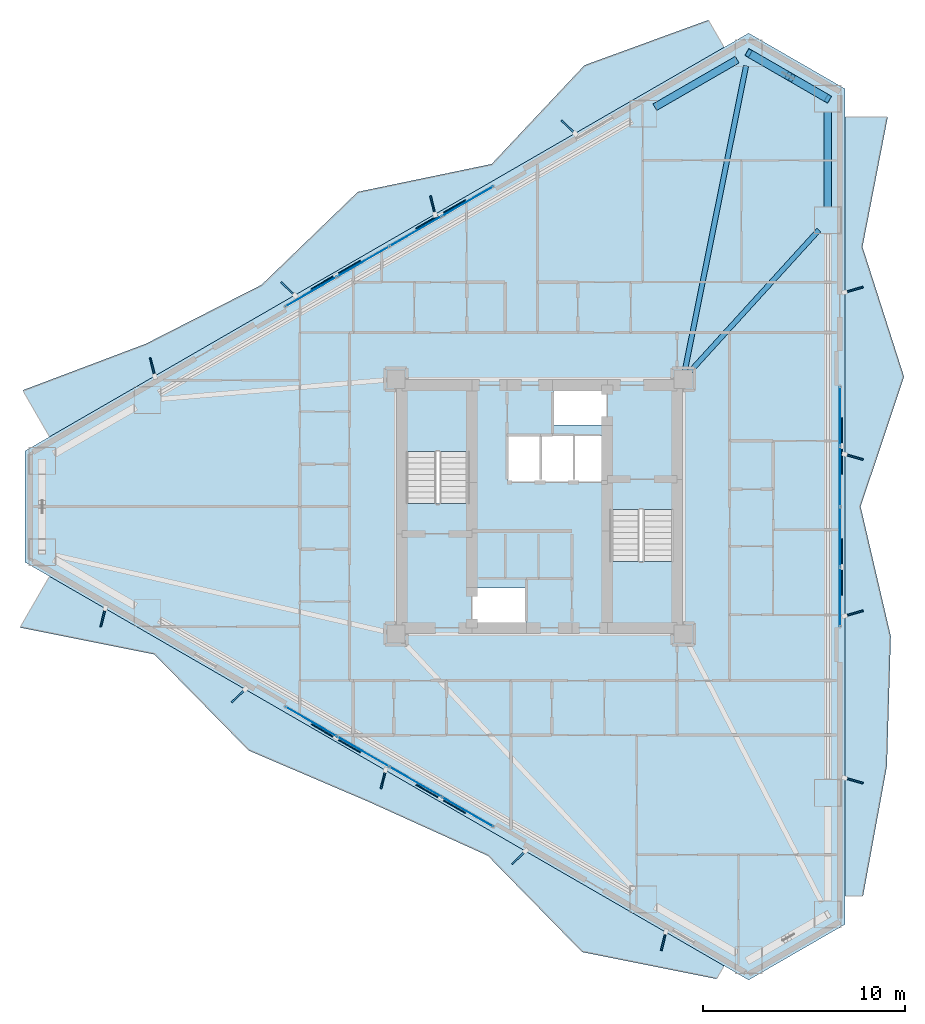
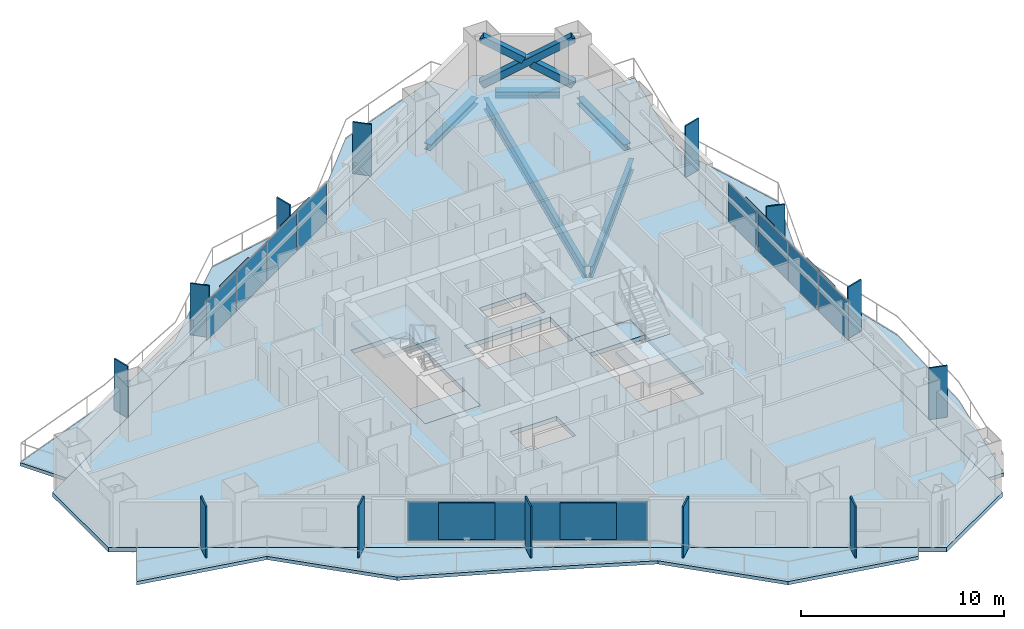
# One storey, part 10 of 18: 31 plates, 8 slabs, 5 beams, 3 members, 5 elements without a shape of their own.
"""IFC4 building model written with IfcOpenShell, lengths in metres."""

from ifc_helpers import new_model, si_unit, direction, frame, origin, origin_2d, place, context, subcontext, project, spatial, polyline, rectangle, hollow_rectangle, i_section, outline, extrude, material, layer, layer_set, material_profile, profile_set, type_object, element, aggregate, save


model = new_model("IFC4")

# Units and contexts
model_context = context("Model", 3, precision=1e-05, world=origin(), true_north=direction((0.0, 1.0)))
body_context = subcontext(model_context, "Body", "Model", "MODEL_VIEW")
ifc_project = project(units=[si_unit("LENGTHUNIT", "METRE"), si_unit("AREAUNIT", "SQUARE_METRE"), si_unit("VOLUMEUNIT", "CUBIC_METRE"), si_unit("PLANEANGLEUNIT", "RADIAN"), si_unit("MASSUNIT", "GRAM", prefix="KILO")], contexts=[model_context])

# Site, building, storey
site_placement = place(None, origin())
site = spatial("IfcSite", under=ifc_project, at=site_placement, CompositionType="ELEMENT")
building_placement = place(site_placement, origin())
building = spatial("IfcBuilding", under=site, at=building_placement, Name="Mersakhor Tower and Convention Hall", CompositionType="ELEMENT")
storey_placement = place(building_placement, frame((0.0, 0.0, 35.699951171875)))
storey = spatial("IfcBuildingStorey", under=building, at=storey_placement, Name="L09", CompositionType="ELEMENT", Elevation=35.699951171875)

# Beams
ifc_material_1 = material(Name="Steel S355", Category="steel")
ifc_material_profile_1 = material_profile(ifc_material_1, i_section(OverallWidth=0.25439453125, OverallDepth=0.6875, WebThickness=0.01318359375, FlangeThickness=0.02099609375, at=origin_2d()), Name="UB 686x254x152")
ifc_profile_set_1 = profile_set([ifc_material_profile_1], Name="Steel S355")
beam_type_1 = type_object("IfcBeamType", Name="BM-PR-686", PredefinedType="BEAM", material=ifc_profile_set_1)
beam_1_placement = place(storey_placement, frame((36.1845703125, 33.4716796875, -0.603759765625), z_axis=(0.196849718138, 0.980433673672, 0.0), x_axis=(-0.980433673672, 0.196849718138, 0.0)))
element("IfcBeam", 1, at=beam_1_placement, inside=storey, type_object=beam_type_1, Name="L09 Primary Floor Girder FG-2", PredefinedType="BEAM", context=body_context, shape_type="SweptSolid", body=[
    extrude(i_section(OverallWidth=0.25439453125, OverallDepth=0.6875, WebThickness=0.01318359375, FlangeThickness=0.02099609375, at=origin_2d()), origin(), (0.0, 0.0, 1.0), 15.359130859375),
])
beam_2_placement = place(storey_placement, frame((36.389404296875, 33.367919921875, -0.603759765625), z_axis=(0.67316322447, 0.739493930483, 0.0), x_axis=(-0.739493930483, 0.67316322447, 0.0)))
element("IfcBeam", 2, at=beam_2_placement, inside=storey, type_object=beam_type_1, Name="L09 Primary Floor Girder FG-3", PredefinedType="BEAM", context=body_context, shape_type="SweptSolid", body=[
    extrude(i_section(OverallWidth=0.25439453125, OverallDepth=0.6875, WebThickness=0.01318359375, FlangeThickness=0.02099609375, at=origin_2d()), origin(), (0.0, 0.0, 1.0), 9.53662109375),
])
ifc_material_2 = material(Name="Steel S355", Category="steel")
ifc_material_profile_2 = material_profile(ifc_material_2, i_section(OverallWidth=0.374755859375, OverallDepth=0.37451171875, WebThickness=0.0166015625, FlangeThickness=0.027099609375, at=origin_2d()), Name="UC 356x368x202")
ifc_profile_set_2 = profile_set([ifc_material_profile_2], Name="Steel S355")
beam_type_2 = type_object("IfcBeamType", Name="BM-SPD-UC356", PredefinedType="SPANDREL", material=ifc_profile_set_2)
beam_3_placement = place(storey_placement, frame((34.700439453125, 46.49560546875, -0.447265625), z_axis=(0.866031574723, 0.499989311469, 0.0), x_axis=(-0.499989311469, 0.866031574723, 0.0)))
element("IfcBeam", 3, at=beam_3_placement, inside=storey, type_object=beam_type_2, Name="L09 Perimeter Spandrel Beam SPB-03", PredefinedType="SPANDREL", context=body_context, shape_type="SweptSolid", body=[
    extrude(i_section(OverallWidth=0.374755859375, OverallDepth=0.37451171875, WebThickness=0.0166015625, FlangeThickness=0.027099609375, at=origin_2d()), origin(), (0.0, 0.0, 1.0), 4.69873046875),
])
beam_4_placement = place(storey_placement, frame((39.904052734375, 48.844970703125, -0.447265625), z_axis=(0.866038607556, -0.4999771297, 0.0), x_axis=(0.4999771297, 0.866038607556, 0.0)))
element("IfcBeam", 4, at=beam_4_placement, inside=storey, type_object=beam_type_2, Name="L09 Perimeter Spandrel Beam SPB-04", PredefinedType="SPANDREL", context=body_context, shape_type="SweptSolid", body=[
    extrude(i_section(OverallWidth=0.374755859375, OverallDepth=0.37451171875, WebThickness=0.0166015625, FlangeThickness=0.027099609375, at=origin_2d()), origin(), (0.0, 0.0, 1.0), 3.208740234375),
])
beam_5_placement = place(storey_placement, frame((43.25, 46.25830078125, -0.447265625), z_axis=(0.0, -1.0, 0.0), x_axis=(1.0, 0.0, 0.0)))
element("IfcBeam", 5, at=beam_5_placement, inside=storey, type_object=beam_type_2, Name="L09 Perimeter Spandrel Beam SPB-05", PredefinedType="SPANDREL", context=body_context, shape_type="SweptSolid", body=[
    extrude(i_section(OverallWidth=0.374755859375, OverallDepth=0.37451171875, WebThickness=0.0166015625, FlangeThickness=0.027099609375, at=origin_2d()), origin(), (0.0, 0.0, 1.0), 4.69873046875),
])

# Members
ifc_material_3 = material(Name="Steel S460", Category="steel")
ifc_material_profile_3 = material_profile(ifc_material_3, hollow_rectangle(XDim=0.39990234375, YDim=0.39990234375, WallThickness=0.02490234375, at=origin_2d()), Name="SHS 400x400x25")
ifc_profile_set_3 = profile_set([ifc_material_profile_3], Name="Steel S460")
member_type = type_object("IfcMemberType", Name="MB-BRC-SHS400", PredefinedType="BRACE", material=ifc_profile_set_3)
member_1_placement = place(storey_placement, frame((39.3369140625, 49.172607421875, 0.150146484375), z_axis=(0.740507772322, -0.427542982597, 0.518512523632), x_axis=(0.500009315796, 0.86602002524, 0.0)))
element("IfcMember", 6, at=member_1_placement, inside=storey, type_object=member_type, Name="L09 Chamfer Braced Frame Diagonal CB-1A", PredefinedType="BRACE", context=body_context, shape_type="SweptSolid", body=[
    extrude(hollow_rectangle(XDim=0.39990234375, YDim=0.39990234375, WallThickness=0.02490234375, at=origin_2d()), origin(), (0.0, 0.0, 1.0), 5.284423828125),
])
member_2_placement = place(storey_placement, frame((43.25, 46.913330078125, 0.150146484375), z_axis=(-0.740544200614, 0.427541122117, 0.51846202931), x_axis=(-0.499989236795, -0.866031617834, 0.0)))
element("IfcMember", 7, at=member_2_placement, inside=storey, type_object=member_type, Name="L09 Chamfer Braced Frame Diagonal CB-1B Lower Half", PredefinedType="BRACE", context=body_context, shape_type="SweptSolid", body=[
    extrude(hollow_rectangle(XDim=0.39990234375, YDim=0.39990234375, WallThickness=0.02490234375, at=origin_2d()), origin(), (0.0, 0.0, 1.0), 2.40869140625),
])
member_3_placement = place(storey_placement, frame((41.12060546875, 48.142578125, 1.64111328125), z_axis=(-0.740473193976, 0.427601478974, 0.51851366827), x_axis=(-0.500078132948, -0.865980289006, 0.0)))
element("IfcMember", 8, at=member_3_placement, inside=storey, type_object=member_type, Name="L09 Chamfer Braced Frame Diagonal CB-1B Upper Half", PredefinedType="BRACE", context=body_context, shape_type="SweptSolid", body=[
    extrude(hollow_rectangle(XDim=0.39990234375, YDim=0.39990234375, WallThickness=0.02490234375, at=origin_2d()), origin(), (0.0, 0.0, 1.0), 2.408935546875),
])

# Curtain wall, plates
ifc_material_4 = material(Name="Dark solar low-E aluminium curtain wall", Category="aluminium")
ifc_layer_1 = layer(ifc_material_4, 0.159912109375)
ifc_layer_set_1 = layer_set([ifc_layer_1], Name="Dark solar low-E aluminium curtain wall")
curtain_wall_type = type_object("IfcCurtainWallType", Name="CW-SYS-01", PredefinedType="USERDEFINED", material=ifc_layer_set_1)
curtain_wall_1_placement = place(storey_placement, origin())
curtain_wall_1 = element("IfcCurtainWall", 9, at=curtain_wall_1_placement, inside=storey, type_object=curtain_wall_type, Name="L09 Dark-Glass Curtain Wall F1-B2", ObjectType="CURTAIN WALL", PredefinedType="USERDEFINED")
ifc_material_5 = material(Name="Dark solar double glazing", Category="glass")
ifc_layer_2 = layer(ifc_material_5, 0.02392578125)
ifc_layer_set_2 = layer_set([ifc_layer_2], Name="Dark solar double glazing")
plate_type_1 = type_object("IfcPlateType", Name="CWP-GLZ-24", PredefinedType="CURTAIN_PANEL", material=ifc_layer_set_2)
plate_1_placement = place(storey_placement, frame((17.702880859375, 37.375, 0.259765625), z_axis=(0.0, 0.0, 1.0), x_axis=(0.866023412558, 0.50000344889, 0.0)))
plate_1 = element("IfcPlate", 10, at=plate_1_placement, type_object=plate_type_1, Name="CW-01 panel 1.1", PredefinedType="CURTAIN_PANEL", context=body_context, shape_type="SweptSolid", body=[
    extrude(rectangle(XDim=2.880859375, YDim=0.02392578125, at=origin_2d()), origin(), (0.0, 0.0, 1.0), 2.340087890625),
])
plate_2_placement = place(storey_placement, frame((20.27880859375, 38.862060546875, 0.259765625), z_axis=(0.0, 0.0, 1.0), x_axis=(0.866023412558, 0.50000344889, 0.0)))
plate_2 = element("IfcPlate", 11, at=plate_2_placement, type_object=plate_type_1, Name="CW-01 panel 2.1", PredefinedType="CURTAIN_PANEL", context=body_context, shape_type="SweptSolid", body=[
    extrude(rectangle(XDim=2.918212890625, YDim=0.02392578125, at=origin_2d()), origin(), (0.0, 0.0, 1.0), 2.340087890625),
])
plate_3_placement = place(storey_placement, frame((22.87109375, 40.35888671875, 0.259765625), z_axis=(0.0, 0.0, 1.0), x_axis=(0.866023412558, 0.50000344889, 0.0)))
plate_3 = element("IfcPlate", 12, at=plate_3_placement, type_object=plate_type_1, Name="CW-01 panel 3.1", PredefinedType="CURTAIN_PANEL", context=body_context, shape_type="SweptSolid", body=[
    extrude(rectangle(XDim=2.918212890625, YDim=0.02392578125, at=origin_2d()), origin(), (0.0, 0.0, 1.0), 2.340087890625),
])
plate_4_placement = place(storey_placement, frame((25.447021484375, 41.84619140625, 0.259765625), z_axis=(0.0, 0.0, 1.0), x_axis=(0.866023412558, 0.50000344889, 0.0)))
plate_4 = element("IfcPlate", 13, at=plate_4_placement, type_object=plate_type_1, Name="CW-01 panel 4.1", PredefinedType="CURTAIN_PANEL", context=body_context, shape_type="SweptSolid", body=[
    extrude(rectangle(XDim=2.880859375, YDim=0.02392578125, at=origin_2d()), origin(), (0.0, 0.0, 1.0), 2.340087890625),
])
aggregate(curtain_wall_1, [plate_1, plate_2, plate_3, plate_4])

curtain_wall_2_placement = place(storey_placement, origin())
curtain_wall_2 = element("IfcCurtainWall", 14, at=curtain_wall_2_placement, inside=storey, type_object=curtain_wall_type, Name="L09 Dark-Glass Curtain Wall F2-B2", ObjectType="CURTAIN WALL", PredefinedType="USERDEFINED")
plate_5_placement = place(storey_placement, frame((43.85009765625, 31.22119140625, 0.259765625), z_axis=(0.0, 0.0, 1.0), x_axis=(0.0, -1.0, 0.0)))
plate_5 = element("IfcPlate", 15, at=plate_5_placement, type_object=plate_type_1, Name="CW-01 panel 1.1", PredefinedType="CURTAIN_PANEL", context=body_context, shape_type="SweptSolid", body=[
    extrude(rectangle(XDim=2.880859375, YDim=0.02392578125, at=origin_2d()), origin(), (0.0, 0.0, 1.0), 2.340087890625),
])
plate_6_placement = place(storey_placement, frame((43.85009765625, 28.24658203125, 0.259765625), z_axis=(0.0, 0.0, 1.0), x_axis=(0.0, -1.0, 0.0)))
plate_6 = element("IfcPlate", 16, at=plate_6_placement, type_object=plate_type_1, Name="CW-01 panel 2.1", PredefinedType="CURTAIN_PANEL", context=body_context, shape_type="SweptSolid", body=[
    extrude(rectangle(XDim=2.918212890625, YDim=0.02392578125, at=origin_2d()), origin(), (0.0, 0.0, 1.0), 2.340087890625),
])
plate_7_placement = place(storey_placement, frame((43.85009765625, 25.25341796875, 0.259765625), z_axis=(0.0, 0.0, 1.0), x_axis=(0.0, -1.0, 0.0)))
plate_7 = element("IfcPlate", 17, at=plate_7_placement, type_object=plate_type_1, Name="CW-01 panel 3.1", PredefinedType="CURTAIN_PANEL", context=body_context, shape_type="SweptSolid", body=[
    extrude(rectangle(XDim=2.918212890625, YDim=0.02392578125, at=origin_2d()), origin(), (0.0, 0.0, 1.0), 2.340087890625),
])
plate_8_placement = place(storey_placement, frame((43.85009765625, 22.27880859375, 0.259765625), z_axis=(0.0, 0.0, 1.0), x_axis=(0.0, -1.0, 0.0)))
plate_8 = element("IfcPlate", 18, at=plate_8_placement, type_object=plate_type_1, Name="CW-01 panel 4.1", PredefinedType="CURTAIN_PANEL", context=body_context, shape_type="SweptSolid", body=[
    extrude(rectangle(XDim=2.880859375, YDim=0.02392578125, at=origin_2d()), origin(), (0.0, 0.0, 1.0), 2.340087890625),
])
aggregate(curtain_wall_2, [plate_5, plate_6, plate_7, plate_8])

curtain_wall_3_placement = place(storey_placement, origin())
curtain_wall_3 = element("IfcCurtainWall", 19, at=curtain_wall_3_placement, inside=storey, type_object=curtain_wall_type, Name="L09 Dark-Glass Curtain Wall F3-B2", ObjectType="CURTAIN WALL", PredefinedType="USERDEFINED")
plate_9_placement = place(storey_placement, frame((25.447021484375, 11.65380859375, 0.259765625), z_axis=(0.0, 0.0, 1.0), x_axis=(-0.866023412558, 0.50000344889, 0.0)))
plate_9 = element("IfcPlate", 20, at=plate_9_placement, type_object=plate_type_1, Name="CW-01 panel 1.1", PredefinedType="CURTAIN_PANEL", context=body_context, shape_type="SweptSolid", body=[
    extrude(rectangle(XDim=2.880859375, YDim=0.02392578125, at=origin_2d()), origin(), (0.0, 0.0, 1.0), 2.340087890625),
])
plate_10_placement = place(storey_placement, frame((22.87109375, 13.14111328125, 0.259765625), z_axis=(0.0, 0.0, 1.0), x_axis=(-0.866023412558, 0.50000344889, 0.0)))
plate_10 = element("IfcPlate", 21, at=plate_10_placement, type_object=plate_type_1, Name="CW-01 panel 2.1", PredefinedType="CURTAIN_PANEL", context=body_context, shape_type="SweptSolid", body=[
    extrude(rectangle(XDim=2.918212890625, YDim=0.02392578125, at=origin_2d()), origin(), (0.0, 0.0, 1.0), 2.340087890625),
])
plate_11_placement = place(storey_placement, frame((20.27880859375, 14.637939453125, 0.259765625), z_axis=(0.0, 0.0, 1.0), x_axis=(-0.866023412558, 0.50000344889, 0.0)))
plate_11 = element("IfcPlate", 22, at=plate_11_placement, type_object=plate_type_1, Name="CW-01 panel 3.1", PredefinedType="CURTAIN_PANEL", context=body_context, shape_type="SweptSolid", body=[
    extrude(rectangle(XDim=2.918212890625, YDim=0.02392578125, at=origin_2d()), origin(), (0.0, 0.0, 1.0), 2.340087890625),
])
plate_12_placement = place(storey_placement, frame((17.702880859375, 16.125, 0.259765625), z_axis=(0.0, 0.0, 1.0), x_axis=(-0.866023412558, 0.50000344889, 0.0)))
plate_12 = element("IfcPlate", 23, at=plate_12_placement, type_object=plate_type_1, Name="CW-01 panel 4.1", PredefinedType="CURTAIN_PANEL", context=body_context, shape_type="SweptSolid", body=[
    extrude(rectangle(XDim=2.880859375, YDim=0.02392578125, at=origin_2d()), origin(), (0.0, 0.0, 1.0), 2.340087890625),
])
aggregate(curtain_wall_3, [plate_9, plate_10, plate_11, plate_12])

# Plates
ifc_material_6 = material(Name="Ceramic-clad aluminium Zone 1 cobalt-slate", Category="masonry")
ifc_material_7 = material(Name="Ceramic-clad aluminium Zone 1 cobalt-slate", Category="masonry")
ifc_layer_3 = layer(ifc_material_7, 0.080078125)
ifc_layer_set_3 = layer_set([ifc_layer_3], Name="Ceramic-clad aluminium Zone 1 cobalt-slate")
plate_type_2 = type_object("IfcPlateType", Name="PL-FIN-80", PredefinedType="USERDEFINED", material=ifc_layer_set_3)
for number, where, z_axis, x_axis, name in (
    (24, (9.86669921875, 33.6435546875, 0.0), (0.0, 0.0, 1.0), (-0.2419218956, 0.970295726276, 0.0), "L09 Zone 1 Coloured Brise-Soleil Fin F1-1"),
    (25, (16.568115234375, 37.5126953125, 0.0), (0.0, 0.0, 1.0), (-0.719339800339, 0.694658370459, 0.0), "L09 Zone 1 Coloured Brise-Soleil Fin F1-2"),
    (26, (23.72314453125, 41.6435546875, 0.0), (0.0, 0.0, 1.0), (-0.2419218956, 0.970295726276, 0.0), "L09 Zone 1 Coloured Brise-Soleil Fin F1-3"),
    (27, (30.424560546875, 45.5126953125, 0.0), (0.0, 0.0, 1.0), (-0.719339800339, 0.694658370459, 0.0), "L09 Zone 1 Coloured Brise-Soleil Fin F1-4"),
    (28, (44.53662109375, 37.46826171875, 0.0), (0.0, 0.0, 1.0), (0.961261695938, 0.275637355817, 0.0), "L09 Zone 1 Coloured Brise-Soleil Fin F2-1"),
    (29, (44.53662109375, 29.206298828125, 0.0), (0.0, 0.0, 1.0), (0.961261695938, -0.275637355817, 0.0), "L09 Zone 1 Coloured Brise-Soleil Fin F2-2"),
    (30, (44.53662109375, 21.46826171875, 0.0), (0.0, 0.0, 1.0), (0.961261695938, 0.275637355817, 0.0), "L09 Zone 1 Coloured Brise-Soleil Fin F2-3"),
    (31, (44.53662109375, 13.206298828125, 0.0), (0.0, 0.0, 1.0), (0.961261695938, -0.275637355817, 0.0), "L09 Zone 1 Coloured Brise-Soleil Fin F2-4"),
    (32, (35.1328125, 5.26904296875, 0.0), (0.0, 0.0, 1.0), (-0.2419218956, -0.970295726276, 0.0), "L09 Zone 1 Coloured Brise-Soleil Fin F3-1"),
    (33, (27.977783203125, 9.39990234375, 0.0), (0.0, 0.0, 1.0), (-0.719339800339, -0.694658370459, 0.0), "L09 Zone 1 Coloured Brise-Soleil Fin F3-2"),
    (34, (21.2763671875, 13.26904296875, 0.0), (0.0, 0.0, 1.0), (-0.2419218956, -0.970295726276, 0.0), "L09 Zone 1 Coloured Brise-Soleil Fin F3-3"),
    (35, (14.121337890625, 17.39990234375, 0.0), (0.0, 0.0, 1.0), (-0.719339800339, -0.694658370459, 0.0), "L09 Zone 1 Coloured Brise-Soleil Fin F3-4"),
    (36, (7.419921875, 21.26904296875, 0.0), (0.0, 0.0, 1.0), (-0.2419218956, -0.970295726276, 0.0), "L09 Zone 1 Coloured Brise-Soleil Fin F3-5"),
):
    element("IfcPlate", number, at=place(storey_placement, frame(where, z_axis=z_axis, x_axis=x_axis)), inside=storey, type_object=plate_type_2, material=ifc_material_6, Name=name, ObjectType="FIN", PredefinedType="USERDEFINED", context=body_context, shape_type="SweptSolid", body=[
        extrude(rectangle(XDim=0.949951171875, YDim=0.080078125, at=origin_2d()), origin(), (0.0, 0.0, 1.0), 3.10009765625),
    ])
ifc_material_8 = material(Name="Perforated ceramic cobogo solar screen", Category="aluminium")
ifc_layer_4 = layer(ifc_material_8, 0.055908203125)
ifc_layer_set_4 = layer_set([ifc_layer_4], Name="Perforated ceramic cobogo solar screen")
plate_type_3 = type_object("IfcPlateType", Name="PL-SCR-56", PredefinedType="USERDEFINED", material=ifc_layer_set_4)
for number, where, z_axis, x_axis, name in (
    (37, (18.933837890625, 38.19873046875, 0.400146484375), (0.0, 0.0, 1.0), (0.866025403784, 0.5, 0.0), "L09 Perforated Ceramic Solar Screen F1-1"),
    (38, (24.118408203125, 41.19189453125, 0.400146484375), (0.0, 0.0, 1.0), (0.866025403784, 0.5, 0.0), "L09 Perforated Ceramic Solar Screen F1-2"),
    (39, (43.947998046875, 29.743408203125, 0.400146484375), (0.0, 0.0, 1.0), (0.0, -1.0, 0.0), "L09 Perforated Ceramic Solar Screen F2-1"),
    (40, (43.947998046875, 23.756591796875, 0.400146484375), (0.0, 0.0, 1.0), (0.0, -1.0, 0.0), "L09 Perforated Ceramic Solar Screen F2-2"),
    (41, (24.1181640625, 12.30810546875, 0.400146484375), (0.0, 0.0, 1.0), (-0.866025403784, 0.5, 0.0), "L09 Perforated Ceramic Solar Screen F3-1"),
    (42, (18.93359375, 15.30126953125, 0.400146484375), (0.0, 0.0, 1.0), (-0.866025403784, 0.5, 0.0), "L09 Perforated Ceramic Solar Screen F3-2"),
):
    element("IfcPlate", number, at=place(storey_placement, frame(where, z_axis=z_axis, x_axis=x_axis)), inside=storey, type_object=plate_type_3, Name=name, ObjectType="SCREEN", PredefinedType="USERDEFINED", context=body_context, shape_type="SweptSolid", body=[
        extrude(rectangle(XDim=2.800048828125, YDim=0.055908203125, at=origin_2d()), origin(), (0.0, 0.0, 1.0), 2.2099609375),
    ])

# Slabs
ifc_material_9 = material(Name="Concrete C45/55", Category="concrete")
ifc_layer_5 = layer(ifc_material_9, 0.199951171875)
ifc_layer_set_5 = layer_set([ifc_layer_5], Name="Concrete C45/55")
slab_type_1 = type_object("IfcSlabType", Name="SL-BAL-200", PredefinedType="FLOOR", material=ifc_layer_set_5)
slab_1_placement = place(storey_placement, frame((0.0, 0.0, -0.199951171875)))
element("IfcSlab", 43, at=slab_1_placement, inside=storey, type_object=slab_type_1, Name="L09 Sinusoidal Balcony Slab Face 1", PredefinedType="FLOOR", context=body_context, shape_type="SweptSolid", body=[
    extrude(outline(polyline([(4.775390625, 30.199951171875), (38.12451171875, 49.4541015625), (37.344482421875, 50.80517578125), (31.2236328125, 48.570556640625), (26.63330078125, 43.685546875), (20.016845703125, 42.30908203125), (15.2587890625, 37.71435546875), (9.532470703125, 34.796630859375), (3.44775390625, 32.499755859375), (4.775390625, 30.199951171875)])), origin(), (0.0, 0.0, 1.0), 0.199951171875),
])
slab_2_placement = place(storey_placement, frame((0.0, 0.0, -0.199951171875)))
element("IfcSlab", 44, at=slab_2_placement, inside=storey, type_object=slab_type_1, Name="L09 Sinusoidal Balcony Slab Face 2", PredefinedType="FLOOR", context=body_context, shape_type="SweptSolid", body=[
    extrude(outline(polyline([(44.10009765625, 46.00390625), (44.10009765625, 7.49609375), (44.992919921875, 7.49609375), (46.171630859375, 13.9140625), (46.365478515625, 20.33203125), (44.87158203125, 26.75), (47.02001953125, 33.16796875), (44.965087890625, 39.5859375), (46.213134765625, 46.00390625), (44.10009765625, 46.00390625)])), origin(), (0.0, 0.0, 1.0), 0.199951171875),
])
slab_3_placement = place(storey_placement, frame((0.0, 0.0, -0.199951171875)))
element("IfcSlab", 45, at=slab_3_placement, inside=storey, type_object=slab_type_1, Name="L09 Sinusoidal Balcony Slab Face 3", PredefinedType="FLOOR", context=body_context, shape_type="SweptSolid", body=[
    extrude(outline(polyline([(38.12451171875, 4.0458984375), (4.775390625, 23.300048828125), (3.3154296875, 20.771240234375), (9.958740234375, 19.44140625), (14.62451171875, 14.68701171875), (20.56884765625, 12.146728515625), (26.44482421875, 9.48828125), (31.106201171875, 4.726318359375), (37.74951171875, 3.396484375), (38.12451171875, 4.0458984375)])), origin(), (0.0, 0.0, 1.0), 0.199951171875),
])
ifc_material_10 = material(Name="Concrete C45/55", Category="concrete")
ifc_layer_6 = layer(ifc_material_10, 0.260009765625)
ifc_layer_set_6 = layer_set([ifc_layer_6], Name="Concrete C45/55")
slab_type_2 = type_object("IfcSlabType", Name="SL-FLR-260", PredefinedType="FLOOR", material=ifc_layer_set_6)
slab_4_placement = place(storey_placement, frame((0.0, 0.0, -0.260009765625)))
element("IfcSlab", 46, at=slab_4_placement, inside=storey, type_object=slab_type_2, Name="L09 ST-1 Structural Stair Floor Landing", PredefinedType="LANDING", context=body_context, shape_type="SweptSolid", body=[
    extrude(outline(polyline([(25.550048828125, 25.39990234375), (25.550048828125, 26.89990234375), (22.39990234375, 26.89990234375), (22.39990234375, 25.39990234375), (25.550048828125, 25.39990234375)])), origin(), (0.0, 0.0, 1.0), 0.260009765625),
])
slab_5_placement = place(storey_placement, frame((0.0, 0.0, -0.260009765625)))
element("IfcSlab", 47, at=slab_5_placement, inside=storey, type_object=slab_type_2, Name="L09 ST-2 Structural Stair Floor Landing", PredefinedType="LANDING", context=body_context, shape_type="SweptSolid", body=[
    extrude(outline(polyline([(32.449951171875, 28.10009765625), (32.449951171875, 26.60009765625), (35.60009765625, 26.60009765625), (35.60009765625, 28.10009765625), (32.449951171875, 28.10009765625)])), origin(), (0.0, 0.0, 1.0), 0.260009765625),
])
slab_6_placement = place(storey_placement, frame((0.0, 0.0, -0.260009765625)))
element("IfcSlab", 48, at=slab_6_placement, inside=storey, type_object=slab_type_2, Name="Tower L09 Structural Floor Slab", PredefinedType="FLOOR", context=body_context, shape_type="SweptSolid", body=[
    extrude(outline(polyline([(3.56298828125, 29.5), (39.3369140625, 50.154052734375), (44.10009765625, 47.404052734375), (44.10009765625, 6.095947265625), (39.3369140625, 3.345947265625), (3.56298828125, 24.0), (3.56298828125, 29.5)]), holes=[polyline([(25.550048828125, 25.39990234375), (25.550048828125, 32.699951171875), (22.39990234375, 32.699951171875), (22.39990234375, 25.39990234375), (25.550048828125, 25.39990234375)]), polyline([(32.449951171875, 28.10009765625), (32.449951171875, 20.800048828125), (35.60009765625, 20.800048828125), (35.60009765625, 28.10009765625), (32.449951171875, 28.10009765625)]), polyline([(25.679931640625, 20.820068359375), (25.679931640625, 22.719970703125), (28.320068359375, 22.719970703125), (28.320068359375, 20.820068359375), (25.679931640625, 20.820068359375)]), polyline([(29.679931640625, 30.780029296875), (29.679931640625, 32.679931640625), (32.320068359375, 32.679931640625), (32.320068359375, 30.780029296875), (29.679931640625, 30.780029296875)]), polyline([(27.429931640625, 28.0), (27.429931640625, 30.25), (32.320068359375, 30.25), (32.320068359375, 28.0), (27.429931640625, 28.0)])]), origin(), (0.0, 0.0, 1.0), 0.260009765625),
])

# Stair, slab
ifc_material_11 = material(Name="Concrete C45/55", Category="concrete")
stair_type = type_object("IfcStairType", Name="ST-TWR-20R", PredefinedType="HALF_TURN_STAIR", material=ifc_material_11)
stair_1_placement = place(storey_placement, origin())
stair_1 = element("IfcStair", 49, at=stair_1_placement, inside=storey, type_object=stair_type, Name="L09 Tower Protected Exit Stair ST-1", PredefinedType="HALF_TURN_STAIR")
ifc_material_12 = material(Name="Concrete C45/55", Category="concrete")
ifc_layer_7 = layer(ifc_material_12, 0.199951171875)
ifc_layer_set_7 = layer_set([ifc_layer_7], Name="Concrete C45/55")
slab_type_3 = type_object("IfcSlabType", Name="SL-LAND-200", PredefinedType="LANDING", material=ifc_layer_set_7)
slab_7_placement = place(storey_placement, frame((0.0, 0.0, 1.449951171875)))
slab_7 = element("IfcSlab", 50, at=slab_7_placement, type_object=slab_type_3, Name="ST-1 landing 1", PredefinedType="LANDING", context=body_context, shape_type="SweptSolid", body=[
    extrude(outline(polyline([(25.550048828125, 29.465087890625), (25.550048828125, 32.699951171875), (22.39990234375, 32.699951171875), (22.39990234375, 29.465087890625), (25.550048828125, 29.465087890625)])), origin(), (0.0, 0.0, 1.0), 0.2001953125),
])
aggregate(stair_1, [slab_7])

stair_2_placement = place(storey_placement, origin())
stair_2 = element("IfcStair", 51, at=stair_2_placement, inside=storey, type_object=stair_type, Name="L09 Tower Protected Exit Stair ST-2", PredefinedType="HALF_TURN_STAIR")
slab_8_placement = place(storey_placement, frame((0.0, 0.0, 1.449951171875)))
slab_8 = element("IfcSlab", 52, at=slab_8_placement, type_object=slab_type_3, Name="ST-2 landing 1", PredefinedType="LANDING", context=body_context, shape_type="SweptSolid", body=[
    extrude(outline(polyline([(32.449951171875, 24.034912109375), (32.449951171875, 20.800048828125), (35.60009765625, 20.800048828125), (35.60009765625, 24.034912109375), (32.449951171875, 24.034912109375)])), origin(), (0.0, 0.0, 1.0), 0.2001953125),
])
aggregate(stair_2, [slab_8])

save(model, "model.ifc")
